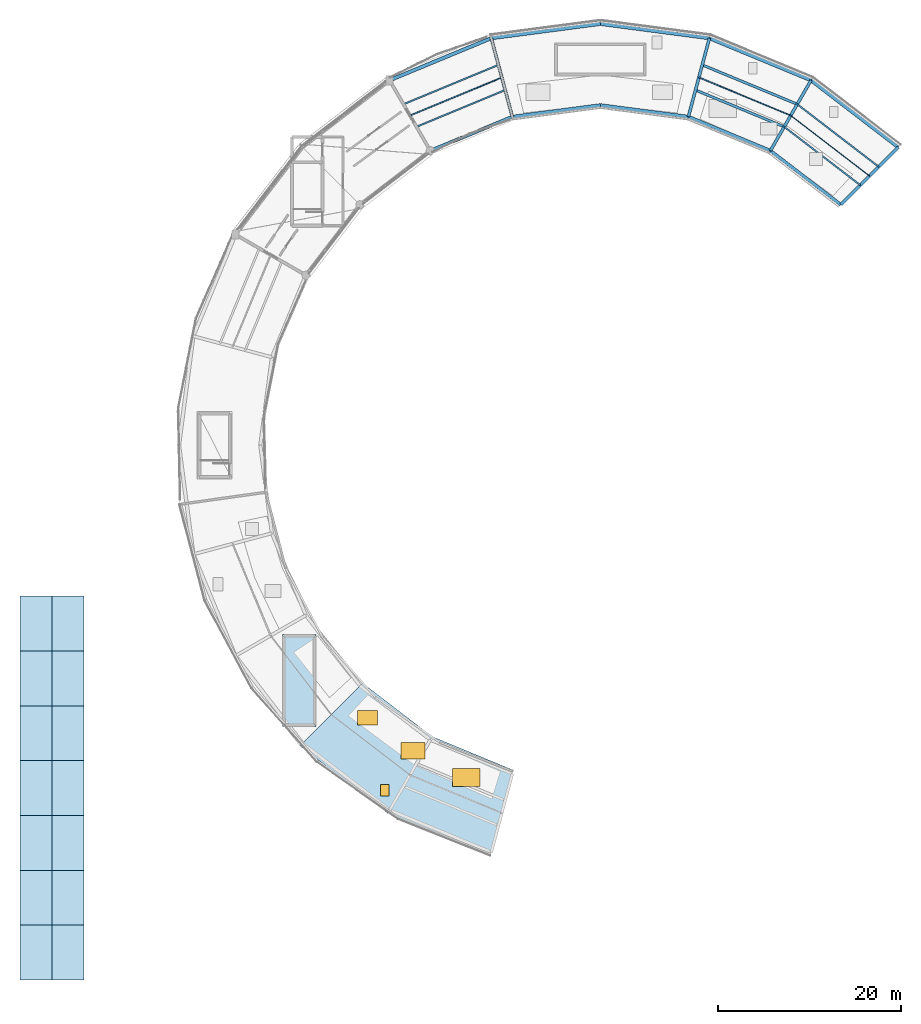
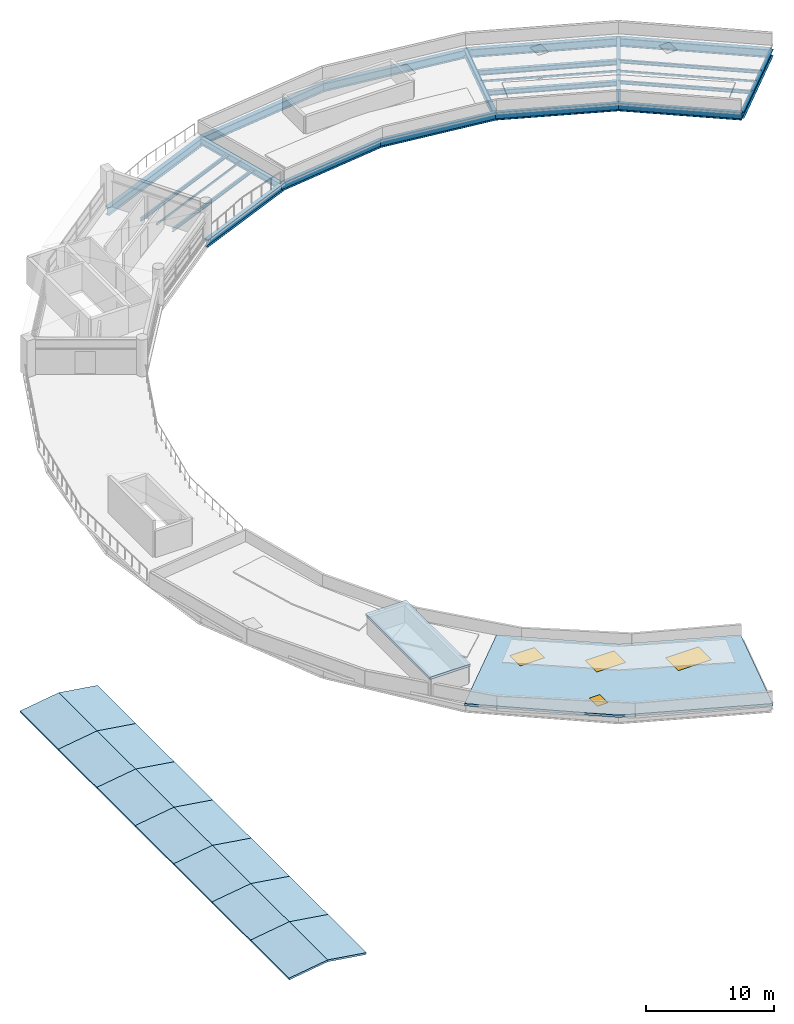
"""IFC4 building model written with IfcOpenShell, lengths in metres."""

from ifc_helpers import new_model, si_unit, direction, frame, origin, origin_2d, place, context, subcontext, project, spatial, polyline, rectangle, hollow_rectangle, i_section, outline, extrude, material, layer, layer_set, material_profile, profile_set, type_object, element, fill, aggregate, save


model = new_model("IFC4")

# Units and contexts
model_context = context("Model", 3, precision=1e-05, world=origin(), true_north=direction((0.0, 1.0)))
body_context = subcontext(model_context, "Body", "Model", "MODEL_VIEW")
ifc_project = project(units=[si_unit("LENGTHUNIT", "METRE"), si_unit("AREAUNIT", "SQUARE_METRE"), si_unit("VOLUMEUNIT", "CUBIC_METRE"), si_unit("PLANEANGLEUNIT", "RADIAN"), si_unit("MASSUNIT", "GRAM", prefix="KILO")], contexts=[model_context])

# Site, building, storey
site_placement = place(None, origin())
site = spatial("IfcSite", under=ifc_project, at=site_placement, CompositionType="ELEMENT")
building_placement = place(site_placement, origin())
building = spatial("IfcBuilding", under=site, at=building_placement, Name="Vespera Passage Community Centre", CompositionType="ELEMENT")
storey_1_placement = place(building_placement, frame((0.0, 0.0, 24.300048828125)))
storey_1 = spatial("IfcBuildingStorey", under=building, at=storey_1_placement, Name="ROOF", CompositionType="ELEMENT", Elevation=24.300048828125)

# Beams
ifc_material_1 = material(Name="Steel ASTM A992 Grade 50", Category="steel")
ifc_material_profile_1 = material_profile(ifc_material_1, i_section(OverallWidth=0.32763671875, OverallDepth=0.62841796875, WebThickness=0.0166015625, FlangeThickness=0.027587890625, FilletRadius=0.0126953125, at=origin_2d()), Name="W24X146")
ifc_profile_set_1 = profile_set([ifc_material_profile_1], Name="Steel ASTM A992 Grade 50")
beam_type_1 = type_object("IfcBeamType", Name="BM-G-W24X146", PredefinedType="BEAM", material=ifc_profile_set_1)
beam_1_placement = place(storey_1_placement, frame((104.304443359375, 91.804443359375, -0.5341796875), z_axis=(0.707106781187, 0.707106781187, 0.0), x_axis=(-0.707106781187, 0.707106781187, 0.0)))
element("IfcBeam", 1, at=beam_1_placement, inside=storey_1, type_object=beam_type_1, Name="V4 ROOF Radial Girder 3", PredefinedType="BEAM", context=body_context, shape_type="SweptSolid", body=[
    extrude(i_section(OverallWidth=0.32763671875, OverallDepth=0.62841796875, WebThickness=0.0166015625, FlangeThickness=0.027587890625, FilletRadius=0.0126953125, at=origin_2d()), origin(), (0.0, 0.0, 1.0), 8.89990234375),
])
for number, where, z_axis, x_axis, name in (
    (2, (96.60009765625, 97.716064453125, -0.5341796875), (0.499989191739, 0.866031643847, 0.0), (-0.866031643847, 0.499989191739, 0.0), "V4 ROOF Radial Girder 4"),
    (3, (87.628173828125, 101.432373046875, -0.5341796875), (0.258811497245, 0.9659278487, 0.0), (-0.9659278487, 0.258811497245, 0.0), "V4 ROOF Radial Girder 5"),
    (4, (68.371826171875, 101.432373046875, -0.57421875), (-0.258811497245, 0.9659278487, 0.0), (-0.9659278487, -0.258811497245, 0.0), "V4 ROOF Radial Girder 7"),
):
    element("IfcBeam", number, at=place(storey_1_placement, frame(where, z_axis=z_axis, x_axis=x_axis)), inside=storey_1, type_object=beam_type_1, Name=name, PredefinedType="BEAM", context=body_context, shape_type="SweptSolid", body=[
        extrude(i_section(OverallWidth=0.32763671875, OverallDepth=0.62841796875, WebThickness=0.0166015625, FlangeThickness=0.027587890625, FilletRadius=0.0126953125, at=origin_2d()), origin(), (0.0, 0.0, 1.0), 8.900146484375),
    ])
ifc_material_2 = material(Name="Steel ASTM A992 Grade 50", Category="steel")
ifc_material_profile_2 = material_profile(ifc_material_2, i_section(OverallWidth=0.16650390625, OverallDepth=0.3173828125, WebThickness=0.007568359375, FlangeThickness=0.01318359375, FilletRadius=0.007568359375, at=origin_2d()), Name="W12X35")
ifc_profile_set_2 = profile_set([ifc_material_profile_2], Name="Steel ASTM A992 Grade 50")
beam_type_2 = type_object("IfcBeamType", Name="BM-J-W12X35", PredefinedType="JOIST", material=ifc_profile_set_2)
beam_2_placement = place(storey_1_placement, frame((106.444091796875, 93.944091796875, -0.378662109375), z_axis=(-0.793356328613, 0.608757534533, 0.0), x_axis=(-0.608757534533, -0.793356328613, 0.0)))
element("IfcBeam", 5, at=beam_2_placement, inside=storey_1, type_object=beam_type_2, Name="V4 ROOF Floor Joist 3.1", PredefinedType="JOIST", context=body_context, shape_type="SweptSolid", body=[
    extrude(i_section(OverallWidth=0.16650390625, OverallDepth=0.3173828125, WebThickness=0.007568359375, FlangeThickness=0.01318359375, FilletRadius=0.007568359375, at=origin_2d()), origin(), (0.0, 0.0, 1.0), 10.5009765625),
])
beam_3_placement = place(storey_1_placement, frame((108.4580078125, 95.9580078125, -0.378662109375), z_axis=(-0.793354683982, 0.608759677873, 0.0), x_axis=(-0.608759677873, -0.793354683982, 0.0)))
element("IfcBeam", 6, at=beam_3_placement, inside=storey_1, type_object=beam_type_2, Name="V4 ROOF Floor Joist 3.2", PredefinedType="JOIST", context=body_context, shape_type="SweptSolid", body=[
    extrude(i_section(OverallWidth=0.16650390625, OverallDepth=0.3173828125, WebThickness=0.007568359375, FlangeThickness=0.01318359375, FilletRadius=0.007568359375, at=origin_2d()), origin(), (0.0, 0.0, 1.0), 11.24462890625),
])
beam_4_placement = place(storey_1_placement, frame((67.588623046875, 104.355224609375, -0.4189453125), z_axis=(-0.92387968492, -0.382683064417, 0.0), x_axis=(0.382683064417, -0.92387968492, 0.0)))
element("IfcBeam", 7, at=beam_4_placement, inside=storey_1, type_object=beam_type_2, Name="V4 ROOF Floor Joist 7.1", PredefinedType="JOIST", context=body_context, shape_type="SweptSolid", body=[
    extrude(i_section(OverallWidth=0.16650390625, OverallDepth=0.3173828125, WebThickness=0.007568359375, FlangeThickness=0.01318359375, FilletRadius=0.007568359375, at=origin_2d()), origin(), (0.0, 0.0, 1.0), 10.5009765625),
])
beam_5_placement = place(storey_1_placement, frame((66.8515625, 107.106201171875, -0.4189453125), z_axis=(-0.923884257257, -0.38267202562, 0.0), x_axis=(0.38267202562, -0.923884257257, 0.0)))
element("IfcBeam", 8, at=beam_5_placement, inside=storey_1, type_object=beam_type_2, Name="V4 ROOF Floor Joist 7.2", PredefinedType="JOIST", context=body_context, shape_type="SweptSolid", body=[
    extrude(i_section(OverallWidth=0.16650390625, OverallDepth=0.3173828125, WebThickness=0.007568359375, FlangeThickness=0.01318359375, FilletRadius=0.007568359375, at=origin_2d()), origin(), (0.0, 0.0, 1.0), 11.24462890625),
])
ifc_material_3 = material(Name="Steel ASTM A992 Grade 50", Category="steel")
ifc_material_profile_3 = material_profile(ifc_material_3, i_section(OverallWidth=0.280517578125, OverallDepth=0.46240234375, WebThickness=0.0107421875, FlangeThickness=0.017333984375, FilletRadius=0.01025390625, at=origin_2d()), Name="W18X76")
ifc_profile_set_3 = profile_set([ifc_material_profile_3], Name="Steel ASTM A992 Grade 50")
beam_type_3 = type_object("IfcBeamType", Name="BM-J-W18X76", PredefinedType="JOIST", material=ifc_profile_set_3)
beam_6_placement = place(storey_1_placement, frame((98.113037109375, 100.336669921875, -0.451171875), z_axis=(-0.92387968492, 0.382683064417, 0.0), x_axis=(-0.382683064417, -0.92387968492, 0.0)))
element("IfcBeam", 9, at=beam_6_placement, inside=storey_1, type_object=beam_type_3, Name="V4 ROOF Floor Joist 4.1", PredefinedType="JOIST", context=body_context, shape_type="SweptSolid", body=[
    extrude(i_section(OverallWidth=0.280517578125, OverallDepth=0.46240234375, WebThickness=0.0107421875, FlangeThickness=0.017333984375, FilletRadius=0.01025390625, at=origin_2d()), origin(), (0.0, 0.0, 1.0), 10.5009765625),
])
beam_7_placement = place(storey_1_placement, frame((99.537109375, 102.80322265625, -0.451171875), z_axis=(-0.923884257257, 0.38267202562, 0.0), x_axis=(-0.38267202562, -0.923884257257, 0.0)))
element("IfcBeam", 10, at=beam_7_placement, inside=storey_1, type_object=beam_type_3, Name="V4 ROOF Floor Joist 4.2", PredefinedType="JOIST", context=body_context, shape_type="SweptSolid", body=[
    extrude(i_section(OverallWidth=0.280517578125, OverallDepth=0.46240234375, WebThickness=0.0107421875, FlangeThickness=0.017333984375, FilletRadius=0.01025390625, at=origin_2d()), origin(), (0.0, 0.0, 1.0), 11.24462890625),
])
ifc_material_4 = material(Name="Steel ASTM A992 Grade 50", Category="steel")
ifc_material_profile_4 = material_profile(ifc_material_4, i_section(OverallWidth=0.3544921875, OverallDepth=0.695556640625, WebThickness=0.015380859375, FlangeThickness=0.024658203125, FilletRadius=0.01513671875, at=origin_2d()), Name="W27X146")
ifc_profile_set_4 = profile_set([ifc_material_profile_4], Name="Steel ASTM A992 Grade 50")
beam_type_4 = type_object("IfcBeamType", Name="BM-SP-W27X146E", PredefinedType="SPANDREL", material=ifc_profile_set_4)
beam_8_placement = place(storey_1_placement, frame((104.304443359375, 91.804443359375, -0.567626953125), z_axis=(-0.793359869694, 0.60875291963, 0.0), x_axis=(-0.60875291963, -0.793359869694, 0.0)))
element("IfcBeam", 11, at=beam_8_placement, inside=storey_1, type_object=beam_type_4, Name="V4 ROOF Inner Spandrel 3", PredefinedType="SPANDREL", context=body_context, shape_type="SweptSolid", body=[
    extrude(i_section(OverallWidth=0.3544921875, OverallDepth=0.695556640625, WebThickness=0.015380859375, FlangeThickness=0.024658203125, FilletRadius=0.01513671875, at=origin_2d()), origin(), (0.0, 0.0, 1.0), 9.7109375),
])
for number, where, z_axis, x_axis, name in (
    (12, (96.60009765625, 97.716064453125, -0.567626953125), (-0.923878947685, 0.382684844258, 0.0), (-0.382684844258, -0.923878947685, 0.0), "V4 ROOF Inner Spandrel 4"),
    (13, (87.628173828125, 101.432373046875, -0.567626953125), (-0.991444794834, 0.130526697639, 0.0), (-0.130526697639, -0.991444794834, 0.0), "V4 ROOF Inner Spandrel 5"),
    (14, (78.0, 102.699951171875, -0.567626953125), (-0.991444794834, -0.130526697639, 0.0), (0.130526697639, -0.991444794834, 0.0), "V4 ROOF Inner Spandrel 6"),
    (15, (68.371826171875, 101.432373046875, -0.60791015625), (-0.923878947685, -0.382684844258, 0.0), (0.382684844258, -0.923878947685, 0.0), "V4 ROOF Inner Spandrel 7"),
):
    element("IfcBeam", number, at=place(storey_1_placement, frame(where, z_axis=z_axis, x_axis=x_axis)), inside=storey_1, type_object=beam_type_4, Name=name, PredefinedType="SPANDREL", context=body_context, shape_type="SweptSolid", body=[
        extrude(i_section(OverallWidth=0.3544921875, OverallDepth=0.695556640625, WebThickness=0.015380859375, FlangeThickness=0.024658203125, FilletRadius=0.01513671875, at=origin_2d()), origin(), (0.0, 0.0, 1.0), 9.711181640625),
    ])
ifc_material_5 = material(Name="Steel ASTM A992 Grade 50", Category="steel")
ifc_material_profile_5 = material_profile(ifc_material_5, i_section(OverallWidth=0.382080078125, OverallDepth=0.779296875, WebThickness=0.01806640625, FlangeThickness=0.030029296875, FilletRadius=0.0166015625, at=origin_2d()), Name="W30X191")
ifc_profile_set_5 = profile_set([ifc_material_profile_5], Name="Steel ASTM A992 Grade 50")
beam_type_5 = type_object("IfcBeamType", Name="BM-SP-W30X191E", PredefinedType="SPANDREL", material=ifc_profile_set_5)
for number, where, z_axis, x_axis, name in (
    (16, (110.59765625, 98.09765625, -0.609619140625), (-0.793351934501, 0.608763261066, 0.0), (-0.608763261066, -0.793351934501, 0.0), "V4 ROOF Outer Spandrel 3"),
    (17, (101.050048828125, 105.423828125, -0.609619140625), (-0.923877379647, 0.382688629799, 0.0), (-0.382688629799, -0.923877379647, 0.0), "V4 ROOF Outer Spandrel 4"),
):
    element("IfcBeam", number, at=place(storey_1_placement, frame(where, z_axis=z_axis, x_axis=x_axis)), inside=storey_1, type_object=beam_type_5, Name=name, PredefinedType="SPANDREL", context=body_context, shape_type="SweptSolid", body=[
        extrude(i_section(OverallWidth=0.382080078125, OverallDepth=0.779296875, WebThickness=0.01806640625, FlangeThickness=0.030029296875, FilletRadius=0.0166015625, at=origin_2d()), origin(), (0.0, 0.0, 1.0), 12.034423828125),
    ])
for number, where, z_axis, x_axis, name in (
    (18, (89.931640625, 110.029296875, -0.609619140625), (-0.991445178667, 0.130523782115, 0.0), (-0.130523782115, -0.991445178667, 0.0), "V4 ROOF Outer Spandrel 5"),
    (19, (78.0, 111.60009765625, -0.609619140625), (-0.991445178667, -0.130523782115, 0.0), (0.130523782115, -0.991445178667, 0.0), "V4 ROOF Outer Spandrel 6"),
):
    element("IfcBeam", number, at=place(storey_1_placement, frame(where, z_axis=z_axis, x_axis=x_axis)), inside=storey_1, type_object=beam_type_5, Name=name, PredefinedType="SPANDREL", context=body_context, shape_type="SweptSolid", body=[
        extrude(i_section(OverallWidth=0.382080078125, OverallDepth=0.779296875, WebThickness=0.01806640625, FlangeThickness=0.030029296875, FilletRadius=0.0166015625, at=origin_2d()), origin(), (0.0, 0.0, 1.0), 12.03466796875),
    ])
beam_9_placement = place(storey_1_placement, frame((66.068359375, 110.029296875, -0.649658203125), z_axis=(-0.923877379647, -0.382688629799, 0.0), x_axis=(0.382688629799, -0.923877379647, 0.0)))
element("IfcBeam", 20, at=beam_9_placement, inside=storey_1, type_object=beam_type_5, Name="V4 ROOF Outer Spandrel 7", PredefinedType="SPANDREL", context=body_context, shape_type="SweptSolid", body=[
    extrude(i_section(OverallWidth=0.382080078125, OverallDepth=0.779296875, WebThickness=0.01806640625, FlangeThickness=0.030029296875, FilletRadius=0.0166015625, at=origin_2d()), origin(), (0.0, 0.0, 1.0), 12.034423828125),
])

# Members
ifc_material_6 = material(Name="Steel ASTM A500 Grade C", Category="steel")
ifc_material_profile_6 = material_profile(ifc_material_6, hollow_rectangle(XDim=0.1015625, YDim=0.203125, WallThickness=0.0087890625, InnerFilletRadius=0.0087890625, OuterFilletRadius=0.017822265625, at=origin_2d()), Name="HSS203X102X9.5")
ifc_profile_set_6 = profile_set([ifc_material_profile_6], Name="Steel ASTM A500 Grade C")
member_type = type_object("IfcMemberType", Name="MB-PR-HSS203X102", PredefinedType="PURLIN", material=ifc_profile_set_6)
member_placement = place(storey_1_placement, frame((107.450927734375, 94.950927734375, -0.321533203125), z_axis=(-0.793344633629, 0.608772775584, 0.0), x_axis=(-0.608772775584, -0.793344633629, 0.0)))
element("IfcMember", 21, at=member_placement, inside=storey_1, type_object=member_type, Name="V4 Roof Purlin 3", PredefinedType="PURLIN", context=body_context, shape_type="SweptSolid", body=[
    extrude(hollow_rectangle(XDim=0.1015625, YDim=0.203125, WallThickness=0.0087890625, InnerFilletRadius=0.0087890625, OuterFilletRadius=0.017822265625, at=origin_2d()), origin(), (0.0, 0.0, 1.0), 10.873046875),
])
for number, where, z_axis, x_axis, name in (
    (22, (98.824951171875, 101.570068359375, -0.321533203125), (-0.923886018589, 0.382667773212, 0.0), (-0.382667773212, -0.923886018589, 0.0), "V4 Roof Purlin 4"),
    (23, (67.22021484375, 105.730712890625, -0.361572265625), (-0.923886018589, -0.382667773212, 0.0), (0.382667773212, -0.923886018589, 0.0), "V4 Roof Purlin 7"),
):
    element("IfcMember", number, at=place(storey_1_placement, frame(where, z_axis=z_axis, x_axis=x_axis)), inside=storey_1, type_object=member_type, Name=name, PredefinedType="PURLIN", context=body_context, shape_type="SweptSolid", body=[
        extrude(hollow_rectangle(XDim=0.1015625, YDim=0.203125, WallThickness=0.0087890625, InnerFilletRadius=0.0087890625, OuterFilletRadius=0.017822265625, at=origin_2d()), origin(), (0.0, 0.0, 1.0), 10.872802734375),
    ])

# Roof, slab, openings, door, windows
ifc_material_7 = material(Name="Concrete f'c 35 MPa", Category="concrete")
roof_type_1 = type_object("IfcRoofType", Name="RF-FLAT-V4", PredefinedType="FLAT_ROOF", material=ifc_material_7)
roof_1_placement = place(storey_1_placement, origin())
roof_1 = element("IfcRoof", 24, at=roof_1_placement, inside=storey_1, type_object=roof_type_1, Name="Lifted Learning Ring Insulated Flat Roof V4", PredefinedType="FLAT_ROOF")
ifc_material_8 = material(Name="Concrete f'c 35 MPa", Category="concrete")
ifc_layer_1 = layer(ifc_material_8, 0.219970703125)
ifc_layer_set_1 = layer_set([ifc_layer_1], Name="Concrete f'c 35 MPa")
slab_type_1 = type_object("IfcSlabType", Name="SL-ROOF-220E", PredefinedType="ROOF", material=ifc_layer_set_1)
slab_1_placement = place(storey_1_placement, frame((0.0, 0.0, -0.219970703125)))
slab_1 = element("IfcSlab", 25, at=slab_1_placement, inside=storey_1, type_object=slab_type_1, Name="V4 Main Roof Sector 4 Slab", PredefinedType="ROOF", context=body_context, shape_type="SweptSolid", body=[
    extrude(outline(polyline([(45.119384765625, 32.619384765625), (54.75, 25.229736328125), (65.96484375, 20.58447265625), (68.4755859375, 29.953857421875), (59.60009765625, 33.63037109375), (51.978515625, 39.478515625), (45.119384765625, 32.619384765625)])), origin(), (0.0, 0.0, 1.0), 0.219970703125),
])
opening_1_placement = place(slab_1_placement, frame((52.5419921875, 35.69189453125, 0.0)))
opening_1 = element("IfcOpeningElement", 26, at=opening_1_placement, cuts=slab_1, Name="Opening SK-03E", PredefinedType="OPENING", context=body_context, shape_type="SweptSolid", body=[
    extrude(rectangle(XDim=2.199951171875, YDim=1.60009765625, at=origin_2d()), frame((0.0, 0.0, -0.010009765625)), (0.0, 0.0, 1.0), 0.239990234375),
])
opening_2_placement = place(slab_1_placement, frame((57.51806640625, 32.076904296875, 0.0)))
opening_2 = element("IfcOpeningElement", 27, at=opening_2_placement, cuts=slab_1, Name="Opening SK-04E", PredefinedType="OPENING", context=body_context, shape_type="SweptSolid", body=[
    extrude(rectangle(XDim=2.60009765625, YDim=1.800048828125, at=origin_2d()), frame((0.0, 0.0, -0.010009765625)), (0.0, 0.0, 1.0), 0.239990234375),
])
opening_3_placement = place(slab_1_placement, frame((63.31494140625, 29.154052734375, 0.0)))
opening_3 = element("IfcOpeningElement", 28, at=opening_3_placement, cuts=slab_1, Name="Opening SK-05E", PredefinedType="OPENING", context=body_context, shape_type="SweptSolid", body=[
    extrude(rectangle(XDim=3.0, YDim=2.0, at=origin_2d()), frame((0.0, 0.0, -0.010009765625)), (0.0, 0.0, 1.0), 0.239990234375),
])
opening_4_placement = place(slab_1_placement, frame((54.4189453125, 27.761962890625, 0.0)))
opening_4 = element("IfcOpeningElement", 29, at=opening_4_placement, cuts=slab_1, Name="Opening DT-HT01", PredefinedType="OPENING", context=body_context, shape_type="SweptSolid", body=[
    extrude(rectangle(XDim=0.949951171875, YDim=1.25, at=origin_2d()), frame((0.0, 0.0, -0.010009765625)), (0.0, 0.0, 1.0), 0.239990234375),
])
ifc_material_9 = material(Name="Anodized aluminium 6063-T6", Category="aluminium")
door_type = type_object("IfcDoorType", Name="DT-HT01", OperationType="NOTDEFINED", PredefinedType="TRAPDOOR", material=ifc_material_9)
door_placement = place(opening_4_placement, frame((0.0, 0.0, 0.169921875)))
door = element("IfcDoor", 30, at=door_placement, inside=storey_1, type_object=door_type, Name="Roof Access Hatch HT-046", OperationType="SINGLE_SWING_LEFT", OverallHeight=1.25, OverallWidth=0.949951171875, PredefinedType="TRAPDOOR", context=body_context, shape_type="SweptSolid", body=[
    extrude(rectangle(XDim=0.949951171875, YDim=1.25, at=origin_2d()), origin(), (0.0, 0.0, 1.0), 0.050048828125),
])
fill(opening_4, door)
ifc_material_10 = material(Name="Low-E insulated vision glass", Category="glass")
window_type_1 = type_object("IfcWindowType", Name="SK-03E", PartitioningType="SINGLE_PANEL", PredefinedType="SKYLIGHT", material=ifc_material_10)
window_1_placement = place(opening_1_placement, frame((0.0, 0.0, 0.169921875)))
window_1 = element("IfcWindow", 31, at=window_1_placement, inside=storey_1, type_object=window_type_1, Name="Library Roof Skylight 8", OverallHeight=1.60009765625, OverallWidth=2.199951171875, PartitioningType="SINGLE_PANEL", PredefinedType="SKYLIGHT", context=body_context, shape_type="SweptSolid", body=[
    extrude(rectangle(XDim=2.199951171875, YDim=1.60009765625, at=origin_2d()), origin(), (0.0, 0.0, 1.0), 0.050048828125),
])
fill(opening_1, window_1)
ifc_material_11 = material(Name="Low-E insulated vision glass", Category="glass")
window_type_2 = type_object("IfcWindowType", Name="SK-04E", PartitioningType="SINGLE_PANEL", PredefinedType="SKYLIGHT", material=ifc_material_11)
window_2_placement = place(opening_2_placement, frame((0.0, 0.0, 0.169921875)))
window_2 = element("IfcWindow", 32, at=window_2_placement, inside=storey_1, type_object=window_type_2, Name="Library Roof Skylight 9", OverallHeight=1.800048828125, OverallWidth=2.60009765625, PartitioningType="SINGLE_PANEL", PredefinedType="SKYLIGHT", context=body_context, shape_type="SweptSolid", body=[
    extrude(rectangle(XDim=2.60009765625, YDim=1.800048828125, at=origin_2d()), origin(), (0.0, 0.0, 1.0), 0.050048828125),
])
fill(opening_2, window_2)
ifc_material_12 = material(Name="Low-E insulated vision glass", Category="glass")
window_type_3 = type_object("IfcWindowType", Name="SK-05E", PartitioningType="SINGLE_PANEL", PredefinedType="SKYLIGHT", material=ifc_material_12)
window_3_placement = place(opening_3_placement, frame((0.0, 0.0, 0.169921875)))
window_3 = element("IfcWindow", 33, at=window_3_placement, inside=storey_1, type_object=window_type_3, Name="Library Roof Skylight 10", OverallHeight=2.0, OverallWidth=3.0, PartitioningType="SINGLE_PANEL", PredefinedType="SKYLIGHT", context=body_context, shape_type="SweptSolid", body=[
    extrude(rectangle(XDim=3.0, YDim=2.0, at=origin_2d()), origin(), (0.0, 0.0, 1.0), 0.050048828125),
])
fill(opening_3, window_3)
aggregate(roof_1, [slab_1])

# Slab
slab_2_placement = place(storey_1_placement, frame((0.0, 0.0, 1.64990234375)))
element("IfcSlab", 34, at=slab_2_placement, inside=storey_1, type_object=slab_type_1, Name="Core C3 Overrun Roof Cap Slab", PredefinedType="ROOF", context=body_context, shape_type="SweptSolid", body=[
    extrude(outline(polyline([(46.90087890625, 34.72998046875), (46.90087890625, 44.800048828125), (43.220947265625, 44.800048828125), (43.220947265625, 34.72998046875), (46.90087890625, 34.72998046875)])), origin(), (0.0, 0.0, 1.0), 0.219970703125),
])

# Storey
storey_2_placement = place(building_placement, frame((0.0, 0.0, 16.5)))
storey_2 = spatial("IfcBuildingStorey", under=building, at=storey_2_placement, Name="L04", CompositionType="ELEMENT", Elevation=16.5)

# Roof, slabs
ifc_material_13 = material(Name="Concrete f'c 45 MPa", Category="concrete")
roof_type_2 = type_object("IfcRoofType", Name="RF-VAULT-V1", PredefinedType="BARREL_ROOF", material=ifc_material_13)
roof_2_placement = place(storey_2_placement, origin())
roof_2 = element("IfcRoof", 35, at=roof_2_placement, inside=storey_2, type_object=roof_type_2, Name="Main Hall Barrel-Vaulted Roof V1", PredefinedType="BARREL_ROOF")
ifc_material_14 = material(Name="Concrete f'c 45 MPa", Category="concrete")
ifc_layer_2 = layer(ifc_material_14, 0.179931640625)
ifc_layer_set_2 = layer_set([ifc_layer_2], Name="Concrete f'c 45 MPa")
slab_type_2 = type_object("IfcSlabType", Name="SL-VAULT-180E", PredefinedType="ROOF", material=ifc_layer_set_2)
slab_3_placement = place(storey_1_placement, frame((14.512451171875, 7.0, 0.074951171875), z_axis=(-0.148831263869, 0.0, 0.988862606683), x_axis=(0.988862606683, 0.0, 0.148831263869)))
slab_3 = element("IfcSlab", 36, at=slab_3_placement, inside=storey_1, type_object=slab_type_2, Name="Main Hall Barrel Vault Panel B1.4", PredefinedType="ROOF", context=body_context, shape_type="SweptSolid", body=[
    extrude(outline(polyline([(0.0, 0.0), (3.526828504340735, 0.0), (3.526828504340735, 6.000000000000002), (0.0, 6.000000000000002), (0.0, 0.0)])), origin(), (0.0, 0.0, -1.0), 0.179931640625),
])
slab_4_placement = place(storey_1_placement, frame((18.0, 7.0, 0.599853515625), z_axis=(0.148831263869, 0.0, 0.988862606683), x_axis=(0.988862606683, 0.0, -0.148831263869)))
slab_4 = element("IfcSlab", 37, at=slab_4_placement, inside=storey_1, type_object=slab_type_2, Name="Main Hall Barrel Vault Panel B1.5", PredefinedType="ROOF", context=body_context, shape_type="SweptSolid", body=[
    extrude(outline(polyline([(0.0, 0.0), (3.526828504340735, 0.0), (3.526828504340735, 6.000000000000002), (0.0, 6.000000000000002), (0.0, 0.0)])), origin(), (0.0, 0.0, -1.0), 0.179931640625),
])
slab_5_placement = place(storey_1_placement, frame((14.512451171875, 13.0, 0.074951171875), z_axis=(-0.148831263869, 0.0, 0.988862606683), x_axis=(0.988862606683, 0.0, 0.148831263869)))
slab_5 = element("IfcSlab", 38, at=slab_5_placement, inside=storey_1, type_object=slab_type_2, Name="Main Hall Barrel Vault Panel B2.4", PredefinedType="ROOF", context=body_context, shape_type="SweptSolid", body=[
    extrude(outline(polyline([(0.0, 0.0), (3.526828504340735, 0.0), (3.526828504340735, 6.000000000000002), (0.0, 6.000000000000002), (0.0, 0.0)])), origin(), (0.0, 0.0, -1.0), 0.179931640625),
])
slab_6_placement = place(storey_1_placement, frame((18.0, 13.0, 0.599853515625), z_axis=(0.148831263869, 0.0, 0.988862606683), x_axis=(0.988862606683, 0.0, -0.148831263869)))
slab_6 = element("IfcSlab", 39, at=slab_6_placement, inside=storey_1, type_object=slab_type_2, Name="Main Hall Barrel Vault Panel B2.5", PredefinedType="ROOF", context=body_context, shape_type="SweptSolid", body=[
    extrude(outline(polyline([(0.0, 0.0), (3.526828504340735, 0.0), (3.526828504340735, 6.000000000000002), (0.0, 6.000000000000002), (0.0, 0.0)])), origin(), (0.0, 0.0, -1.0), 0.179931640625),
])
slab_7_placement = place(storey_1_placement, frame((14.512451171875, 19.0, 0.074951171875), z_axis=(-0.148831263869, 0.0, 0.988862606683), x_axis=(0.988862606683, 0.0, 0.148831263869)))
slab_7 = element("IfcSlab", 40, at=slab_7_placement, inside=storey_1, type_object=slab_type_2, Name="Main Hall Barrel Vault Panel B3.4", PredefinedType="ROOF", context=body_context, shape_type="SweptSolid", body=[
    extrude(outline(polyline([(0.0, 0.0), (3.526828504340735, 0.0), (3.526828504340735, 6.000000000000002), (0.0, 6.000000000000002), (0.0, 0.0)])), origin(), (0.0, 0.0, -1.0), 0.179931640625),
])
slab_8_placement = place(storey_1_placement, frame((18.0, 19.0, 0.599853515625), z_axis=(0.148831263869, 0.0, 0.988862606683), x_axis=(0.988862606683, 0.0, -0.148831263869)))
slab_8 = element("IfcSlab", 41, at=slab_8_placement, inside=storey_1, type_object=slab_type_2, Name="Main Hall Barrel Vault Panel B3.5", PredefinedType="ROOF", context=body_context, shape_type="SweptSolid", body=[
    extrude(outline(polyline([(0.0, 0.0), (3.526828504340735, 0.0), (3.526828504340735, 6.000000000000002), (0.0, 6.000000000000002), (0.0, 0.0)])), origin(), (0.0, 0.0, -1.0), 0.179931640625),
])
slab_9_placement = place(storey_1_placement, frame((14.512451171875, 25.0, 0.074951171875), z_axis=(-0.148831263869, 0.0, 0.988862606683), x_axis=(0.988862606683, 0.0, 0.148831263869)))
slab_9 = element("IfcSlab", 42, at=slab_9_placement, inside=storey_1, type_object=slab_type_2, Name="Main Hall Barrel Vault Panel B4.4", PredefinedType="ROOF", context=body_context, shape_type="SweptSolid", body=[
    extrude(outline(polyline([(0.0, 0.0), (3.526828504340735, 0.0), (3.526828504340735, 6.000000000000002), (0.0, 6.000000000000002), (0.0, 0.0)])), origin(), (0.0, 0.0, -1.0), 0.179931640625),
])
slab_10_placement = place(storey_1_placement, frame((18.0, 25.0, 0.599853515625), z_axis=(0.148831263869, 0.0, 0.988862606683), x_axis=(0.988862606683, 0.0, -0.148831263869)))
slab_10 = element("IfcSlab", 43, at=slab_10_placement, inside=storey_1, type_object=slab_type_2, Name="Main Hall Barrel Vault Panel B4.5", PredefinedType="ROOF", context=body_context, shape_type="SweptSolid", body=[
    extrude(outline(polyline([(0.0, 0.0), (3.526828504340735, 0.0), (3.526828504340735, 6.000000000000002), (0.0, 6.000000000000002), (0.0, 0.0)])), origin(), (0.0, 0.0, -1.0), 0.179931640625),
])
slab_11_placement = place(storey_1_placement, frame((14.512451171875, 31.0, 0.074951171875), z_axis=(-0.148831263869, 0.0, 0.988862606683), x_axis=(0.988862606683, 0.0, 0.148831263869)))
slab_11 = element("IfcSlab", 44, at=slab_11_placement, inside=storey_1, type_object=slab_type_2, Name="Main Hall Barrel Vault Panel B5.4", PredefinedType="ROOF", context=body_context, shape_type="SweptSolid", body=[
    extrude(outline(polyline([(0.0, 0.0), (3.526828504340735, 0.0), (3.526828504340735, 6.000000000000002), (0.0, 6.000000000000002), (0.0, 0.0)])), origin(), (0.0, 0.0, -1.0), 0.179931640625),
])
slab_12_placement = place(storey_1_placement, frame((18.0, 31.0, 0.599853515625), z_axis=(0.148831263869, 0.0, 0.988862606683), x_axis=(0.988862606683, 0.0, -0.148831263869)))
slab_12 = element("IfcSlab", 45, at=slab_12_placement, inside=storey_1, type_object=slab_type_2, Name="Main Hall Barrel Vault Panel B5.5", PredefinedType="ROOF", context=body_context, shape_type="SweptSolid", body=[
    extrude(outline(polyline([(0.0, 0.0), (3.526828504340735, 0.0), (3.526828504340735, 6.000000000000002), (0.0, 6.000000000000002), (0.0, 0.0)])), origin(), (0.0, 0.0, -1.0), 0.179931640625),
])
slab_13_placement = place(storey_1_placement, frame((14.512451171875, 37.0, 0.074951171875), z_axis=(-0.148831263869, 0.0, 0.988862606683), x_axis=(0.988862606683, 0.0, 0.148831263869)))
slab_13 = element("IfcSlab", 46, at=slab_13_placement, inside=storey_1, type_object=slab_type_2, Name="Main Hall Barrel Vault Panel B6.4", PredefinedType="ROOF", context=body_context, shape_type="SweptSolid", body=[
    extrude(outline(polyline([(0.0, 0.0), (3.526828504340735, 0.0), (3.526828504340735, 6.000000000000002), (0.0, 6.000000000000002), (0.0, 0.0)])), origin(), (0.0, 0.0, -1.0), 0.179931640625),
])
slab_14_placement = place(storey_1_placement, frame((18.0, 37.0, 0.599853515625), z_axis=(0.148831263869, 0.0, 0.988862606683), x_axis=(0.988862606683, 0.0, -0.148831263869)))
slab_14 = element("IfcSlab", 47, at=slab_14_placement, inside=storey_1, type_object=slab_type_2, Name="Main Hall Barrel Vault Panel B6.5", PredefinedType="ROOF", context=body_context, shape_type="SweptSolid", body=[
    extrude(outline(polyline([(0.0, 0.0), (3.526828504340735, 0.0), (3.526828504340735, 6.000000000000002), (0.0, 6.000000000000002), (0.0, 0.0)])), origin(), (0.0, 0.0, -1.0), 0.179931640625),
])
slab_15_placement = place(storey_1_placement, frame((14.512451171875, 43.0, 0.074951171875), z_axis=(-0.148831263869, 0.0, 0.988862606683), x_axis=(0.988862606683, 0.0, 0.148831263869)))
slab_15 = element("IfcSlab", 48, at=slab_15_placement, inside=storey_1, type_object=slab_type_2, Name="Main Hall Barrel Vault Panel B7.4", PredefinedType="ROOF", context=body_context, shape_type="SweptSolid", body=[
    extrude(outline(polyline([(0.0, 0.0), (3.526828504340735, 0.0), (3.526828504340735, 6.000000000000002), (0.0, 6.000000000000002), (0.0, 0.0)])), origin(), (0.0, 0.0, -1.0), 0.179931640625),
])
slab_16_placement = place(storey_1_placement, frame((18.0, 43.0, 0.599853515625), z_axis=(0.148831263869, 0.0, 0.988862606683), x_axis=(0.988862606683, 0.0, -0.148831263869)))
slab_16 = element("IfcSlab", 49, at=slab_16_placement, inside=storey_1, type_object=slab_type_2, Name="Main Hall Barrel Vault Panel B7.5", PredefinedType="ROOF", context=body_context, shape_type="SweptSolid", body=[
    extrude(outline(polyline([(0.0, 0.0), (3.526828504340735, 0.0), (3.526828504340735, 6.000000000000002), (0.0, 6.000000000000002), (0.0, 0.0)])), origin(), (0.0, 0.0, -1.0), 0.179931640625),
])
aggregate(roof_2, [slab_3, slab_4, slab_5, slab_6, slab_7, slab_8, slab_9, slab_10, slab_11, slab_12, slab_13, slab_14, slab_15, slab_16])

save(model, "model.ifc")
